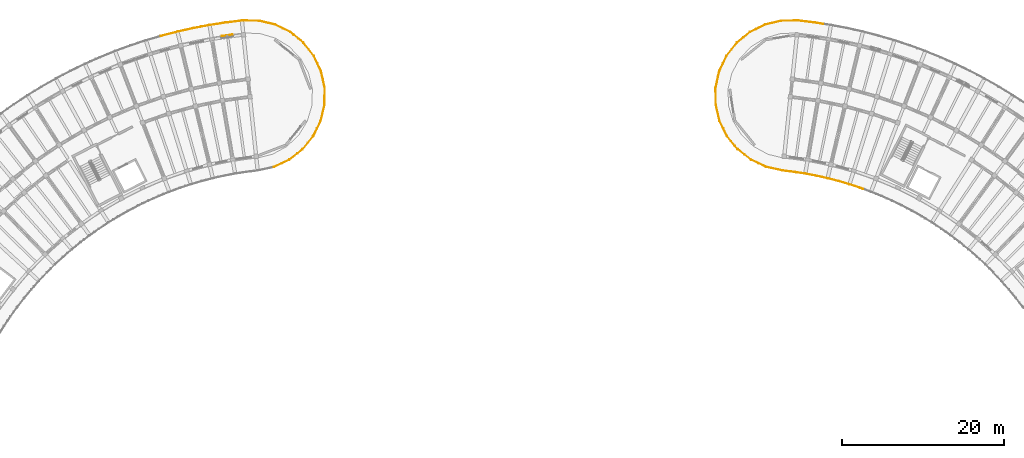
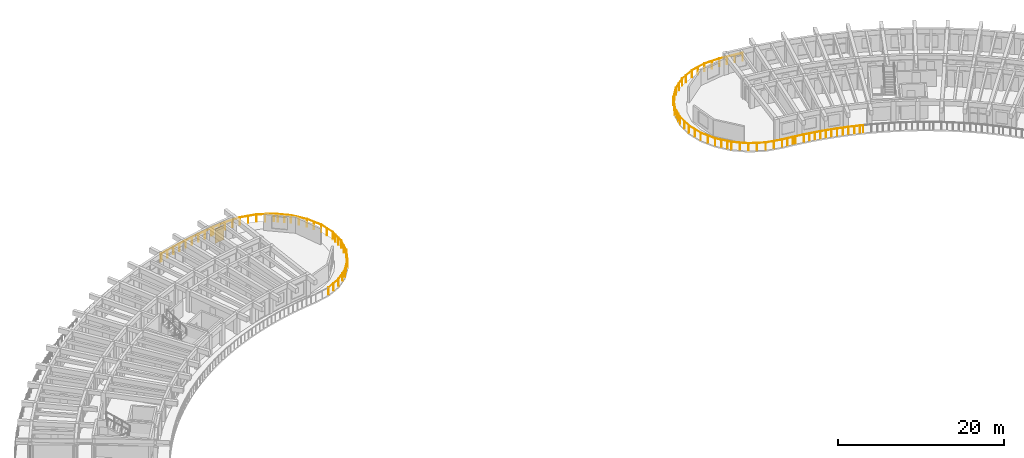
# One storey, part 70 of 78: 10 railings, 1 shading device.
"""IFC4 building model written with IfcOpenShell, lengths in metres."""

from ifc_helpers import new_model, si_unit, direction, frame, origin, origin_2d, place, context, subcontext, project, spatial, rectangle, circle, extrude, material, layer, layer_set, type_object, element, save


model = new_model("IFC4")

# Units and contexts
model_context = context("Model", 3, precision=1e-05, world=origin(), true_north=direction((0.0, 1.0)))
body_context = subcontext(model_context, "Body", "Model", "MODEL_VIEW")
ifc_project = project(units=[si_unit("LENGTHUNIT", "METRE"), si_unit("AREAUNIT", "SQUARE_METRE"), si_unit("VOLUMEUNIT", "CUBIC_METRE"), si_unit("PLANEANGLEUNIT", "RADIAN"), si_unit("MASSUNIT", "GRAM", prefix="KILO")], contexts=[model_context])

# Site, building, storey
site_placement = place(None, origin())
site = spatial("IfcSite", under=ifc_project, at=site_placement, CompositionType="ELEMENT")
building_placement = place(site_placement, origin())
building = spatial("IfcBuilding", under=site, at=building_placement, Name="Tanwirah Colonnade Gardens", CompositionType="ELEMENT")
storey_placement = place(building_placement, frame((0.0, 0.0, 22.280029296875)))
storey = spatial("IfcBuildingStorey", under=building, at=storey_placement, Name="L06", CompositionType="ELEMENT", Elevation=22.280029296875)

# Railings
ifc_material_1 = material(Name="Precast concrete C40/50", Category="concrete")
railing_type = type_object("IfcRailingType", Name="BAL-EXT112", PredefinedType="BALUSTRADE", material=ifc_material_1)
railing_1_placement = place(storey_placement, frame((48.5546875, 119.271728515625, 0.0)))
element("IfcRailing", 1, at=railing_1_placement, inside=storey, type_object=railing_type, Name="Block A L06 Balcony Ribbon Balustrade 18", PredefinedType="BALUSTRADE", context=body_context, shape_type="SweptSolid", body=[
    extrude(circle(Radius=0.02392578125, at=origin_2d()), frame((0.030029296875, 0.0087890625, 1.09619140625), z_axis=(0.959430074946, 0.281946681644, 0.0), x_axis=(-0.281946681644, 0.959430074946, 0.0)), (0.0, 0.0, 1.0), 0.057861328125),
    extrude(circle(Radius=0.02392578125, at=origin_2d()), frame((0.145751953125, 0.041748046875, 1.09619140625), z_axis=(0.968157509899, 0.250341838346, 0.0), x_axis=(-0.250341838346, 0.968157509899, 0.0)), (0.0, 0.0, 1.0), 1.959228515625),
    extrude(circle(Radius=0.02392578125, at=origin_2d()), frame((2.103271484375, 0.546875, 1.09619140625), z_axis=(0.975867729966, 0.218362482151, 0.0), x_axis=(-0.218362482151, 0.975867729966, 0.0)), (0.0, 0.0, 1.0), 1.958984375),
    extrude(circle(Radius=0.02392578125, at=origin_2d()), frame((4.076171875, 0.9873046875, 1.09619140625), z_axis=(0.982549371225, 0.186001970705, 0.0), x_axis=(-0.186001970705, 0.982549371225, 0.0)), (0.0, 0.0, 1.0), 1.958740234375),
    extrude(circle(Radius=0.02392578125, at=origin_2d()), frame((6.0625, 1.3623046875, 1.09619140625), z_axis=(0.988130323653, 0.153617913919, 0.0), x_axis=(-0.153617913919, 0.988130323653, 0.0)), (0.0, 0.0, 1.0), 1.958984375),
    extrude(circle(Radius=0.02392578125, at=origin_2d()), frame((8.06005859375, 1.671630859375, 1.09619140625), z_axis=(0.992706670136, 0.120554830125, 0.0), x_axis=(-0.120554830125, 0.992706670136, 0.0)), (0.0, 0.0, 1.0), 0.231201171875),
    extrude(circle(Radius=0.02099609375, at=origin_2d()), origin(), (0.0, 0.0, 1.0), 1.069091796875),
    extrude(circle(Radius=0.02099609375, at=origin_2d()), frame((0.115478515625, 0.033935546875, 0.0)), (0.0, 0.0, 1.0), 1.069091796875),
    extrude(circle(Radius=0.02099609375, at=origin_2d()), frame((1.09423828125, 0.287109375, 0.0)), (0.0, 0.0, 1.0), 1.069091796875),
    extrude(circle(Radius=0.02099609375, at=origin_2d()), frame((2.07275390625, 0.5400390625, 0.0)), (0.0, 0.0, 1.0), 1.069091796875),
    extrude(circle(Radius=0.02099609375, at=origin_2d()), frame((3.05908203125, 0.7607421875, 0.0)), (0.0, 0.0, 1.0), 1.069091796875),
    extrude(circle(Radius=0.02099609375, at=origin_2d()), frame((4.04541015625, 0.9814453125, 0.0)), (0.0, 0.0, 1.0), 1.069091796875),
    extrude(circle(Radius=0.02099609375, at=origin_2d()), frame((5.03857421875, 1.16943359375, 0.0)), (0.0, 0.0, 1.0), 1.069091796875),
    extrude(circle(Radius=0.02099609375, at=origin_2d()), frame((6.031494140625, 1.357421875, 0.0)), (0.0, 0.0, 1.0), 1.069091796875),
    extrude(circle(Radius=0.02099609375, at=origin_2d()), frame((7.0302734375, 1.5126953125, 0.0)), (0.0, 0.0, 1.0), 1.069091796875),
    extrude(circle(Radius=0.02099609375, at=origin_2d()), frame((8.029052734375, 1.66796875, 0.0)), (0.0, 0.0, 1.0), 1.069091796875),
    extrude(circle(Radius=0.02099609375, at=origin_2d()), frame((8.320556640625, 1.703369140625, 0.0)), (0.0, 0.0, 1.0), 1.069091796875),
])
railing_2_placement = place(storey_placement, frame((56.875244140625, 120.97509765625, 0.0)))
element("IfcRailing", 2, at=railing_2_placement, inside=storey, type_object=railing_type, Name="Block A L06 Balcony Ribbon Balustrade 19", PredefinedType="BALUSTRADE", context=body_context, shape_type="SweptSolid", body=[
    extrude(circle(Radius=0.02392578125, at=origin_2d()), frame((0.031005859375, 0.003662109375, 1.09619140625), z_axis=(0.992658739514, 0.120948860543, 0.0), x_axis=(-0.120948860543, 0.992658739514, 0.0)), (0.0, 0.0, 1.0), 1.661376953125),
    extrude(circle(Radius=0.02392578125, at=origin_2d()), frame((1.742431640625, 0.208251953125, 1.09619140625), z_axis=(0.999972077233, -0.00747293472, 0.0), x_axis=(0.00747293472, 0.999972077233, 0.0)), (0.0, 0.0, 1.0), 2.0283203125),
    extrude(circle(Radius=0.02392578125, at=origin_2d()), frame((3.83251953125, 0.185791015625, 1.09619140625), z_axis=(0.973245052386, -0.229769597654, 0.0), x_axis=(0.229769597654, 0.973245052386, 0.0)), (0.0, 0.0, 1.0), 2.0244140625),
    extrude(circle(Radius=0.02392578125, at=origin_2d()), frame((5.861083984375, -0.30029296875, 1.09619140625), z_axis=(0.89767854763, -0.440650910727, 0.0), x_axis=(0.440650910727, 0.89767854763, 0.0)), (0.0, 0.0, 1.0), 2.024658203125),
    extrude(circle(Radius=0.02392578125, at=origin_2d()), frame((7.73095703125, -1.22607421875, 1.09619140625), z_axis=(0.777222634712, -0.62922569567, 0.0), x_axis=(0.62922569567, 0.777222634712, 0.0)), (0.0, 0.0, 1.0), 0.448974609375),
    extrude(circle(Radius=0.02099609375, at=origin_2d()), origin(), (0.0, 0.0, 1.0), 1.069091796875),
    extrude(circle(Radius=0.02099609375, at=origin_2d()), frame((0.85546875, 0.104248046875, 0.0)), (0.0, 0.0, 1.0), 1.069091796875),
    extrude(circle(Radius=0.02099609375, at=origin_2d()), frame((1.711181640625, 0.20849609375, 0.0)), (0.0, 0.0, 1.0), 1.069091796875),
    extrude(circle(Radius=0.02099609375, at=origin_2d()), frame((2.756591796875, 0.20068359375, 0.0)), (0.0, 0.0, 1.0), 1.069091796875),
    extrude(circle(Radius=0.02099609375, at=origin_2d()), frame((3.802001953125, 0.19287109375, 0.0)), (0.0, 0.0, 1.0), 1.069091796875),
    extrude(circle(Radius=0.02099609375, at=origin_2d()), frame((4.8173828125, -0.046875, 0.0)), (0.0, 0.0, 1.0), 1.069091796875),
    extrude(circle(Radius=0.02099609375, at=origin_2d()), frame((5.8330078125, -0.28662109375, 0.0)), (0.0, 0.0, 1.0), 1.069091796875),
    extrude(circle(Radius=0.02099609375, at=origin_2d()), frame((6.769775390625, -0.74658203125, 0.0)), (0.0, 0.0, 1.0), 1.069091796875),
    extrude(circle(Radius=0.02099609375, at=origin_2d()), frame((7.70654296875, -1.206298828125, 0.0)), (0.0, 0.0, 1.0), 1.069091796875),
    extrude(circle(Radius=0.02099609375, at=origin_2d()), frame((8.10400390625, -1.528076171875, 0.0)), (0.0, 0.0, 1.0), 1.069091796875),
])
railing_3_placement = place(storey_placement, frame((64.979248046875, 119.447021484375, 0.0)))
element("IfcRailing", 3, at=railing_3_placement, inside=storey, type_object=railing_type, Name="Block A L06 Balcony Ribbon Balustrade 20", PredefinedType="BALUSTRADE", context=body_context, shape_type="SweptSolid", body=[
    extrude(circle(Radius=0.02392578125, at=origin_2d()), frame((0.0244140625, -0.019775390625, 1.09619140625), z_axis=(0.777151033754, -0.629314127233, 0.0), x_axis=(0.629314127233, 0.777151033754, 0.0)), (0.0, 0.0, 1.0), 1.512939453125),
    extrude(circle(Radius=0.02392578125, at=origin_2d()), frame((1.24365234375, -1.01611328125, 1.09619140625), z_axis=(0.617578689713, -0.786509098493, 0.0), x_axis=(0.786509098493, 0.617578689713, 0.0)), (0.0, 0.0, 1.0), 2.0244140625),
    extrude(circle(Radius=0.02392578125, at=origin_2d()), frame((2.526611328125, -2.6611328125, 1.09619140625), z_axis=(0.427120558346, -0.904194685142, 0.0), x_axis=(0.904194685142, 0.427120558346, 0.0)), (0.0, 0.0, 1.0), 2.0244140625),
    extrude(circle(Radius=0.02392578125, at=origin_2d()), frame((3.411376953125, -4.55029296875, 1.09619140625), z_axis=(0.215270196259, -0.97655452618, 0.0), x_axis=(0.97655452618, 0.215270196259, 0.0)), (0.0, 0.0, 1.0), 2.024169921875),
    extrude(circle(Radius=0.02392578125, at=origin_2d()), frame((3.853515625, -6.5888671875, 1.09619140625), z_axis=(-0.007720358143, -0.999970197591, 0.0), x_axis=(0.999970197591, -0.007720358143, 0.0)), (0.0, 0.0, 1.0), 0.6015625),
    extrude(circle(Radius=0.02099609375, at=origin_2d()), origin(), (0.0, 0.0, 1.0), 1.069091796875),
    extrude(circle(Radius=0.02099609375, at=origin_2d()), frame((0.6123046875, -0.49560546875, 0.0)), (0.0, 0.0, 1.0), 1.069091796875),
    extrude(circle(Radius=0.02099609375, at=origin_2d()), frame((1.224365234375, -0.991455078125, 0.0)), (0.0, 0.0, 1.0), 1.069091796875),
    extrude(circle(Radius=0.02099609375, at=origin_2d()), frame((1.86865234375, -1.81201171875, 0.0)), (0.0, 0.0, 1.0), 1.069091796875),
    extrude(circle(Radius=0.02099609375, at=origin_2d()), frame((2.51318359375, -2.6328125, 0.0)), (0.0, 0.0, 1.0), 1.069091796875),
    extrude(circle(Radius=0.02099609375, at=origin_2d()), frame((2.958984375, -3.576171875, 0.0)), (0.0, 0.0, 1.0), 1.069091796875),
    extrude(circle(Radius=0.02099609375, at=origin_2d()), frame((3.404541015625, -4.519775390625, 0.0)), (0.0, 0.0, 1.0), 1.069091796875),
    extrude(circle(Radius=0.02099609375, at=origin_2d()), frame((3.629150390625, -5.53857421875, 0.0)), (0.0, 0.0, 1.0), 1.069091796875),
    extrude(circle(Radius=0.02099609375, at=origin_2d()), frame((3.853759765625, -6.5576171875, 0.0)), (0.0, 0.0, 1.0), 1.069091796875),
    extrude(circle(Radius=0.02099609375, at=origin_2d()), frame((3.8486328125, -7.2216796875, 0.0)), (0.0, 0.0, 1.0), 1.069091796875),
])
railing_4_placement = place(storey_placement, frame((68.827880859375, 112.225341796875, 0.0)))
element("IfcRailing", 4, at=railing_4_placement, inside=storey, type_object=railing_type, Name="Block A L06 Balcony Ribbon Balustrade 21", PredefinedType="BALUSTRADE", context=body_context, shape_type="SweptSolid", body=[
    extrude(circle(Radius=0.02392578125, at=origin_2d()), frame((-0.000244140625, -0.03125, 1.09619140625), z_axis=(-0.007377973514, -0.999972782383, 0.0), x_axis=(0.999972782383, -0.007377973514, 0.0)), (0.0, 0.0, 1.0), 1.3603515625),
    extrude(circle(Radius=0.02392578125, at=origin_2d()), frame((-0.017578125, -1.453369140625, 1.09619140625), z_axis=(-0.229769597654, -0.973245052386, 0.0), x_axis=(0.973245052386, -0.229769597654, 0.0)), (0.0, 0.0, 1.0), 2.0244140625),
    extrude(circle(Radius=0.02392578125, at=origin_2d()), frame((-0.503662109375, -3.48193359375, 1.09619140625), z_axis=(-0.440650910727, -0.89767854763, 0.0), x_axis=(0.89767854763, -0.440650910727, 0.0)), (0.0, 0.0, 1.0), 2.024658203125),
    extrude(circle(Radius=0.02392578125, at=origin_2d()), frame((-1.429443359375, -5.351806640625, 1.09619140625), z_axis=(-0.629292457571, -0.777168580711, 0.0), x_axis=(0.777168580711, -0.629292457571, 0.0)), (0.0, 0.0, 1.0), 2.0244140625),
    extrude(circle(Radius=0.02392578125, at=origin_2d()), frame((-2.74755859375, -6.968505859375, 1.09619140625), z_axis=(-0.786525843464, -0.617557363784, 0.0), x_axis=(0.617557363784, -0.786525843464, 0.0)), (0.0, 0.0, 1.0), 0.75390625),
    extrude(circle(Radius=0.02099609375, at=origin_2d()), origin(), (0.0, 0.0, 1.0), 1.069091796875),
    extrude(circle(Radius=0.02099609375, at=origin_2d()), frame((-0.00537109375, -0.71142578125, 0.0)), (0.0, 0.0, 1.0), 1.069091796875),
    extrude(circle(Radius=0.02099609375, at=origin_2d()), frame((-0.010498046875, -1.4228515625, 0.0)), (0.0, 0.0, 1.0), 1.069091796875),
    extrude(circle(Radius=0.02099609375, at=origin_2d()), frame((-0.250244140625, -2.4384765625, 0.0)), (0.0, 0.0, 1.0), 1.069091796875),
    extrude(circle(Radius=0.02099609375, at=origin_2d()), frame((-0.489990234375, -3.453857421875, 0.0)), (0.0, 0.0, 1.0), 1.069091796875),
    extrude(circle(Radius=0.02099609375, at=origin_2d()), frame((-0.94970703125, -4.390625, 0.0)), (0.0, 0.0, 1.0), 1.069091796875),
    extrude(circle(Radius=0.02099609375, at=origin_2d()), frame((-1.40966796875, -5.327392578125, 0.0)), (0.0, 0.0, 1.0), 1.069091796875),
    extrude(circle(Radius=0.02099609375, at=origin_2d()), frame((-2.06640625, -6.13818359375, 0.0)), (0.0, 0.0, 1.0), 1.069091796875),
    extrude(circle(Radius=0.02099609375, at=origin_2d()), frame((-2.722900390625, -6.94921875, 0.0)), (0.0, 0.0, 1.0), 1.069091796875),
    extrude(circle(Radius=0.02099609375, at=origin_2d()), frame((-3.364990234375, -7.453369140625, 0.0)), (0.0, 0.0, 1.0), 1.069091796875),
])
railing_5_placement = place(storey_placement, frame((65.462890625, 104.77197265625, 0.0)))
element("IfcRailing", 5, at=railing_5_placement, inside=storey, type_object=railing_type, Name="Block A L06 Balcony Ribbon Balustrade 22", PredefinedType="BALUSTRADE", context=body_context, shape_type="SweptSolid", body=[
    extrude(circle(Radius=0.02392578125, at=origin_2d()), frame((-0.024658203125, -0.019287109375, 1.09619140625), z_axis=(-0.786498338908, -0.617592392194, 0.0), x_axis=(0.617592392194, -0.786498338908, 0.0)), (0.0, 0.0, 1.0), 1.2080078125),
    extrude(circle(Radius=0.02392578125, at=origin_2d()), frame((-1.027587890625, -0.798095703125, 1.09619140625), z_axis=(-0.904194685142, -0.427120558346, 0.0), x_axis=(0.427120558346, -0.904194685142, 0.0)), (0.0, 0.0, 1.0), 2.0244140625),
    extrude(circle(Radius=0.02099609375, at=origin_2d()), origin(), (0.0, 0.0, 1.0), 1.069091796875),
    extrude(circle(Radius=0.02099609375, at=origin_2d()), frame((-0.999267578125, -0.78466796875, 0.0)), (0.0, 0.0, 1.0), 1.069091796875),
    extrude(circle(Radius=0.02099609375, at=origin_2d()), frame((-1.94287109375, -1.23046875, 0.0)), (0.0, 0.0, 1.0), 1.069091796875),
    extrude(circle(Radius=0.02099609375, at=origin_2d()), frame((-2.88623046875, -1.676025390625, 0.0)), (0.0, 0.0, 1.0), 1.069091796875),
])
railing_6_placement = place(storey_placement, frame((135.417236328125, 100.3662109375, 0.0)))
element("IfcRailing", 6, at=railing_6_placement, inside=storey, type_object=railing_type, Name="Block B L06 Balcony Ribbon Balustrade 6", PredefinedType="BALUSTRADE", context=body_context, shape_type="SweptSolid", body=[
    extrude(circle(Radius=0.02392578125, at=origin_2d()), frame((-0.029296875, 0.0107421875, 1.09619140625), z_axis=(-0.938686381743, 0.344772209916, 0.0), x_axis=(-0.344772209916, -0.938686381743, 0.0)), (0.0, 0.0, 1.0), 0.325439453125),
    extrude(circle(Radius=0.02392578125, at=origin_2d()), frame((-0.396728515625, 0.14453125, 1.09619140625), z_axis=(-0.949531842797, 0.313670654533, 0.0), x_axis=(-0.313670654533, -0.949531842797, 0.0)), (0.0, 0.0, 1.0), 1.341552734375),
    extrude(circle(Radius=0.02392578125, at=origin_2d()), frame((-1.73291015625, 0.584716796875, 1.09619140625), z_axis=(-0.959362733044, 0.282175736812, 0.0), x_axis=(-0.282175736812, -0.959362733044, 0.0)), (0.0, 0.0, 1.0), 1.341796875),
    extrude(circle(Radius=0.02392578125, at=origin_2d()), frame((-3.0830078125, 0.980712890625, 1.09619140625), z_axis=(-0.968157809477, 0.250340679771, 0.0), x_axis=(-0.250340679771, -0.968157809477, 0.0)), (0.0, 0.0, 1.0), 1.341796875),
    extrude(circle(Radius=0.02392578125, at=origin_2d()), frame((-4.4453125, 1.33203125, 1.09619140625), z_axis=(-0.975875211082, 0.218329046156, 0.0), x_axis=(-0.218329046156, -0.975875211082, 0.0)), (0.0, 0.0, 1.0), 1.342041015625),
    extrude(circle(Radius=0.02392578125, at=origin_2d()), frame((-5.818603515625, 1.63818359375, 1.09619140625), z_axis=(-0.982547926195, 0.186009603862, 0.0), x_axis=(-0.186009603862, -0.982547926195, 0.0)), (0.0, 0.0, 1.0), 1.341796875),
    extrude(circle(Radius=0.02392578125, at=origin_2d()), frame((-7.201416015625, 1.89892578125, 1.09619140625), z_axis=(-0.988128738312, 0.153628111108, 0.0), x_axis=(-0.153628111108, -0.988128738312, 0.0)), (0.0, 0.0, 1.0), 1.01171875),
    extrude(circle(Radius=0.02099609375, at=origin_2d()), origin(), (0.0, 0.0, 1.0), 1.069091796875),
    extrude(circle(Radius=0.02099609375, at=origin_2d()), frame((-0.3642578125, 0.1337890625, 0.0)), (0.0, 0.0, 1.0), 1.069091796875),
    extrude(circle(Radius=0.02099609375, at=origin_2d()), frame((-1.03369140625, 0.35498046875, 0.0)), (0.0, 0.0, 1.0), 1.069091796875),
    extrude(circle(Radius=0.02099609375, at=origin_2d()), frame((-1.7001953125, 0.5751953125, 0.0)), (0.0, 0.0, 1.0), 1.069091796875),
    extrude(circle(Radius=0.02099609375, at=origin_2d()), frame((-2.37646484375, 0.77392578125, 0.0)), (0.0, 0.0, 1.0), 1.069091796875),
    extrude(circle(Radius=0.02099609375, at=origin_2d()), frame((-3.050048828125, 0.97216796875, 0.0)), (0.0, 0.0, 1.0), 1.069091796875),
    extrude(circle(Radius=0.02099609375, at=origin_2d()), frame((-3.732421875, 1.148681640625, 0.0)), (0.0, 0.0, 1.0), 1.069091796875),
    extrude(circle(Radius=0.02099609375, at=origin_2d()), frame((-4.412353515625, 1.324462890625, 0.0)), (0.0, 0.0, 1.0), 1.069091796875),
    extrude(circle(Radius=0.02099609375, at=origin_2d()), frame((-5.10009765625, 1.478515625, 0.0)), (0.0, 0.0, 1.0), 1.069091796875),
    extrude(circle(Radius=0.02099609375, at=origin_2d()), frame((-5.785400390625, 1.6318359375, 0.0)), (0.0, 0.0, 1.0), 1.069091796875),
    extrude(circle(Radius=0.02099609375, at=origin_2d()), frame((-6.477783203125, 1.762939453125, 0.0)), (0.0, 0.0, 1.0), 1.069091796875),
    extrude(circle(Radius=0.02099609375, at=origin_2d()), frame((-7.167724609375, 1.8935546875, 0.0)), (0.0, 0.0, 1.0), 1.069091796875),
    extrude(circle(Radius=0.02099609375, at=origin_2d()), frame((-8.23193359375, 2.05908203125, 0.0)), (0.0, 0.0, 1.0), 1.069091796875),
])
railing_7_placement = place(storey_placement, frame((127.185302734375, 102.42529296875, 0.0)))
element("IfcRailing", 7, at=railing_7_placement, inside=storey, type_object=railing_type, Name="Block B L06 Balcony Ribbon Balustrade 7", PredefinedType="BALUSTRADE", context=body_context, shape_type="SweptSolid", body=[
    extrude(circle(Radius=0.02392578125, at=origin_2d()), frame((-0.031005859375, 0.0048828125, 1.09619140625), z_axis=(-0.988208661011, 0.153113168285, 0.0), x_axis=(-0.153113168285, -0.988208661011, 0.0)), (0.0, 0.0, 1.0), 0.267578125),
    extrude(circle(Radius=0.02392578125, at=origin_2d()), frame((-0.359619140625, 0.0546875, 1.09619140625), z_axis=(-0.99267751715, 0.120794647829, 0.0), x_axis=(-0.120794647829, -0.99267751715, 0.0)), (0.0, 0.0, 1.0), 1.338134765625),
    extrude(circle(Radius=0.02392578125, at=origin_2d()), frame((-1.74951171875, 0.22705078125, 1.09619140625), z_axis=(-0.976545428659, 0.215311462222, 0.0), x_axis=(-0.215311462222, -0.976545428659, 0.0)), (0.0, 0.0, 1.0), 2.029541015625),
    extrude(circle(Radius=0.02392578125, at=origin_2d()), frame((-3.790283203125, 0.68408203125, 1.09619140625), z_axis=(-0.904194685142, 0.427120558346, 0.0), x_axis=(-0.427120558346, -0.904194685142, 0.0)), (0.0, 0.0, 1.0), 2.0244140625),
    extrude(circle(Radius=0.02392578125, at=origin_2d()), frame((-5.673583984375, 1.581298828125, 1.09619140625), z_axis=(-0.786509098493, 0.617578689713, 0.0), x_axis=(-0.617578689713, -0.786509098493, 0.0)), (0.0, 0.0, 1.0), 2.0244140625),
    extrude(circle(Radius=0.02392578125, at=origin_2d()), frame((-7.31005859375, 2.875244140625, 1.09619140625), z_axis=(-0.62914215078, 0.777290263744, 0.0), x_axis=(-0.777290263744, -0.62914215078, 0.0)), (0.0, 0.0, 1.0), 0.4384765625),
    extrude(circle(Radius=0.02099609375, at=origin_2d()), origin(), (0.0, 0.0, 1.0), 1.069091796875),
    extrude(circle(Radius=0.02099609375, at=origin_2d()), frame((-0.326171875, 0.050537109375, 0.0)), (0.0, 0.0, 1.0), 1.069091796875),
    extrude(circle(Radius=0.02099609375, at=origin_2d()), frame((-1.02392578125, 0.1357421875, 0.0)), (0.0, 0.0, 1.0), 1.069091796875),
    extrude(circle(Radius=0.02099609375, at=origin_2d()), frame((-1.718994140625, 0.22021484375, 0.0)), (0.0, 0.0, 1.0), 1.069091796875),
    extrude(circle(Radius=0.02099609375, at=origin_2d()), frame((-2.740478515625, 0.4453125, 0.0)), (0.0, 0.0, 1.0), 1.069091796875),
    extrude(circle(Radius=0.02099609375, at=origin_2d()), frame((-3.761962890625, 0.670654296875, 0.0)), (0.0, 0.0, 1.0), 1.069091796875),
    extrude(circle(Radius=0.02099609375, at=origin_2d()), frame((-4.70556640625, 1.1162109375, 0.0)), (0.0, 0.0, 1.0), 1.069091796875),
    extrude(circle(Radius=0.02099609375, at=origin_2d()), frame((-5.64892578125, 1.56201171875, 0.0)), (0.0, 0.0, 1.0), 1.069091796875),
    extrude(circle(Radius=0.02099609375, at=origin_2d()), frame((-6.4697265625, 2.20654296875, 0.0)), (0.0, 0.0, 1.0), 1.069091796875),
    extrude(circle(Radius=0.02099609375, at=origin_2d()), frame((-7.290283203125, 2.850830078125, 0.0)), (0.0, 0.0, 1.0), 1.069091796875),
    extrude(circle(Radius=0.02099609375, at=origin_2d()), frame((-7.60546875, 3.240234375, 0.0)), (0.0, 0.0, 1.0), 1.069091796875),
])
railing_8_placement = place(storey_placement, frame((119.579833984375, 105.66552734375, 0.0)))
element("IfcRailing", 8, at=railing_8_placement, inside=storey, type_object=railing_type, Name="Block B L06 Balcony Ribbon Balustrade 8", PredefinedType="BALUSTRADE", context=body_context, shape_type="SweptSolid", body=[
    extrude(circle(Radius=0.02392578125, at=origin_2d()), frame((-0.019775390625, 0.0244140625, 1.09619140625), z_axis=(-0.629339934839, 0.777130134801, 0.0), x_axis=(-0.777130134801, -0.629339934839, 0.0)), (0.0, 0.0, 1.0), 1.5234375),
    extrude(circle(Radius=0.02392578125, at=origin_2d()), frame((-1.01171875, 1.260498046875, 1.09619140625), z_axis=(-0.440650910727, 0.89767854763, 0.0), x_axis=(-0.89767854763, -0.440650910727, 0.0)), (0.0, 0.0, 1.0), 2.024658203125),
    extrude(circle(Radius=0.02392578125, at=origin_2d()), frame((-1.9248046875, 3.136474609375, 1.09619140625), z_axis=(-0.229769597654, 0.973245052386, 0.0), x_axis=(-0.973245052386, -0.229769597654, 0.0)), (0.0, 0.0, 1.0), 2.0244140625),
    extrude(circle(Radius=0.02392578125, at=origin_2d()), frame((-2.3974609375, 5.168212890625, 1.09619140625), z_axis=(-0.007486921648, 0.999971972609, 0.0), x_axis=(-0.999971972609, -0.007486921648, 0.0)), (0.0, 0.0, 1.0), 2.0244140625),
    extrude(circle(Radius=0.02392578125, at=origin_2d()), frame((-2.406005859375, 7.25439453125, 1.09619140625), z_axis=(0.215268146696, 0.97655497798, 0.0), x_axis=(-0.97655497798, 0.215268146696, 0.0)), (0.0, 0.0, 1.0), 0.5908203125),
    extrude(circle(Radius=0.02099609375, at=origin_2d()), origin(), (0.0, 0.0, 1.0), 1.069091796875),
    extrude(circle(Radius=0.02099609375, at=origin_2d()), frame((-0.4990234375, 0.6162109375, 0.0)), (0.0, 0.0, 1.0), 1.069091796875),
    extrude(circle(Radius=0.02099609375, at=origin_2d()), frame((-0.998046875, 1.232421875, 0.0)), (0.0, 0.0, 1.0), 1.069091796875),
    extrude(circle(Radius=0.02099609375, at=origin_2d()), frame((-1.4580078125, 2.169189453125, 0.0)), (0.0, 0.0, 1.0), 1.069091796875),
    extrude(circle(Radius=0.02099609375, at=origin_2d()), frame((-1.917724609375, 3.10595703125, 0.0)), (0.0, 0.0, 1.0), 1.069091796875),
    extrude(circle(Radius=0.02099609375, at=origin_2d()), frame((-2.157470703125, 4.12158203125, 0.0)), (0.0, 0.0, 1.0), 1.069091796875),
    extrude(circle(Radius=0.02099609375, at=origin_2d()), frame((-2.397216796875, 5.136962890625, 0.0)), (0.0, 0.0, 1.0), 1.069091796875),
    extrude(circle(Radius=0.02099609375, at=origin_2d()), frame((-2.405029296875, 6.180419921875, 0.0)), (0.0, 0.0, 1.0), 1.069091796875),
    extrude(circle(Radius=0.02099609375, at=origin_2d()), frame((-2.412841796875, 7.223876953125, 0.0)), (0.0, 0.0, 1.0), 1.069091796875),
    extrude(circle(Radius=0.02099609375, at=origin_2d()), frame((-2.272216796875, 7.86181640625, 0.0)), (0.0, 0.0, 1.0), 1.069091796875),
])
railing_9_placement = place(storey_placement, frame((117.3076171875, 113.52734375, 0.0)))
element("IfcRailing", 9, at=railing_9_placement, inside=storey, type_object=railing_type, Name="Block B L06 Balcony Ribbon Balustrade 9", PredefinedType="BALUSTRADE", context=body_context, shape_type="SweptSolid", body=[
    extrude(circle(Radius=0.02392578125, at=origin_2d()), frame((0.0068359375, 0.030517578125, 1.09619140625), z_axis=(0.215271130249, 0.976554320292, 0.0), x_axis=(-0.976554320292, 0.215271130249, 0.0)), (0.0, 0.0, 1.0), 1.37109375),
    extrude(circle(Radius=0.02392578125, at=origin_2d()), frame((0.322021484375, 1.42822265625, 1.09619140625), z_axis=(0.427120558346, 0.904194685142, 0.0), x_axis=(-0.904194685142, 0.427120558346, 0.0)), (0.0, 0.0, 1.0), 2.0244140625),
    extrude(circle(Radius=0.02392578125, at=origin_2d()), frame((1.21923828125, 3.3115234375, 1.09619140625), z_axis=(0.617578689713, 0.786509098493, 0.0), x_axis=(-0.786509098493, 0.617578689713, 0.0)), (0.0, 0.0, 1.0), 2.0244140625),
    extrude(circle(Radius=0.02392578125, at=origin_2d()), frame((2.51318359375, 4.947998046875, 1.09619140625), z_axis=(0.777168580711, 0.629292457571, 0.0), x_axis=(-0.629292457571, 0.777168580711, 0.0)), (0.0, 0.0, 1.0), 2.0244140625),
    extrude(circle(Radius=0.02392578125, at=origin_2d()), frame((4.138671875, 6.255126953125, 1.09619140625), z_axis=(0.897735153501, 0.440535576507, 0.0), x_axis=(-0.440535576507, 0.897735153501, 0.0)), (0.0, 0.0, 1.0), 0.7431640625),
    extrude(circle(Radius=0.02099609375, at=origin_2d()), origin(), (0.0, 0.0, 1.0), 1.069091796875),
    extrude(circle(Radius=0.02099609375, at=origin_2d()), frame((0.154296875, 0.699951171875, 0.0)), (0.0, 0.0, 1.0), 1.069091796875),
    extrude(circle(Radius=0.02099609375, at=origin_2d()), frame((0.30859375, 1.39990234375, 0.0)), (0.0, 0.0, 1.0), 1.069091796875),
    extrude(circle(Radius=0.02099609375, at=origin_2d()), frame((0.75439453125, 2.34326171875, 0.0)), (0.0, 0.0, 1.0), 1.069091796875),
    extrude(circle(Radius=0.02099609375, at=origin_2d()), frame((1.199951171875, 3.286865234375, 0.0)), (0.0, 0.0, 1.0), 1.069091796875),
    extrude(circle(Radius=0.02099609375, at=origin_2d()), frame((1.84423828125, 4.107421875, 0.0)), (0.0, 0.0, 1.0), 1.069091796875),
    extrude(circle(Radius=0.02099609375, at=origin_2d()), frame((2.48876953125, 4.92822265625, 0.0)), (0.0, 0.0, 1.0), 1.069091796875),
    extrude(circle(Radius=0.02099609375, at=origin_2d()), frame((3.2998046875, 5.5849609375, 0.0)), (0.0, 0.0, 1.0), 1.069091796875),
    extrude(circle(Radius=0.02099609375, at=origin_2d()), frame((4.110595703125, 6.241455078125, 0.0)), (0.0, 0.0, 1.0), 1.069091796875),
    extrude(circle(Radius=0.02099609375, at=origin_2d()), frame((4.833984375, 6.596435546875, 0.0)), (0.0, 0.0, 1.0), 1.069091796875),
])
railing_10_placement = place(storey_placement, frame((122.1416015625, 120.123779296875, 0.0)))
element("IfcRailing", 10, at=railing_10_placement, inside=storey, type_object=railing_type, Name="Block B L06 Balcony Ribbon Balustrade 10", PredefinedType="BALUSTRADE", context=body_context, shape_type="SweptSolid", body=[
    extrude(circle(Radius=0.02392578125, at=origin_2d()), frame((0.028076171875, 0.013671875, 1.09619140625), z_axis=(0.897642941236, 0.440723439414, 0.0), x_axis=(-0.440723439414, 0.897642941236, 0.0)), (0.0, 0.0, 1.0), 1.21875),
    extrude(circle(Radius=0.02392578125, at=origin_2d()), frame((1.1806640625, 0.57177734375, 1.09619140625), z_axis=(0.973245052386, 0.229769597654, 0.0), x_axis=(-0.229769597654, 0.973245052386, 0.0)), (0.0, 0.0, 1.0), 2.0244140625),
    extrude(circle(Radius=0.02392578125, at=origin_2d()), frame((3.21240234375, 1.04443359375, 1.09619140625), z_axis=(0.999972077233, 0.00747293472, 0.0), x_axis=(-0.00747293472, 0.999972077233, 0.0)), (0.0, 0.0, 1.0), 2.0283203125),
    extrude(circle(Radius=0.02392578125, at=origin_2d()), frame((5.302978515625, 1.05615234375, 1.09619140625), z_axis=(0.992665725565, -0.120891510403, 0.0), x_axis=(0.120891510403, 0.992665725565, 0.0)), (0.0, 0.0, 1.0), 1.955078125),
    extrude(circle(Radius=0.02392578125, at=origin_2d()), frame((7.3056640625, 0.81103515625, 1.09619140625), z_axis=(0.988133367747, -0.153598331844, 0.0), x_axis=(0.153598331844, 0.988133367747, 0.0)), (0.0, 0.0, 1.0), 0.961181640625),
    extrude(circle(Radius=0.02099609375, at=origin_2d()), origin(), (0.0, 0.0, 1.0), 1.069091796875),
    extrude(circle(Radius=0.02099609375, at=origin_2d()), frame((1.150146484375, 0.564697265625, 0.0)), (0.0, 0.0, 1.0), 1.069091796875),
    extrude(circle(Radius=0.02099609375, at=origin_2d()), frame((2.16552734375, 0.804443359375, 0.0)), (0.0, 0.0, 1.0), 1.069091796875),
    extrude(circle(Radius=0.02099609375, at=origin_2d()), frame((3.18115234375, 1.044189453125, 0.0)), (0.0, 0.0, 1.0), 1.069091796875),
    extrude(circle(Radius=0.02099609375, at=origin_2d()), frame((4.2265625, 1.052001953125, 0.0)), (0.0, 0.0, 1.0), 1.069091796875),
    extrude(circle(Radius=0.02099609375, at=origin_2d()), frame((5.27197265625, 1.059814453125, 0.0)), (0.0, 0.0, 1.0), 1.069091796875),
    extrude(circle(Radius=0.02099609375, at=origin_2d()), frame((6.2734375, 0.93798828125, 0.0)), (0.0, 0.0, 1.0), 1.069091796875),
    extrude(circle(Radius=0.02099609375, at=origin_2d()), frame((7.274658203125, 0.81591796875, 0.0)), (0.0, 0.0, 1.0), 1.069091796875),
    extrude(circle(Radius=0.02099609375, at=origin_2d()), frame((8.2861328125, 0.65869140625, 0.0)), (0.0, 0.0, 1.0), 1.069091796875),
])

# Shading device
ifc_material_2 = material(Name="Perforated architectural bronze aluminium", Category="aluminium")
ifc_layer = layer(ifc_material_2, 0.044921875)
ifc_layer_set = layer_set([ifc_layer], Name="Perforated architectural bronze aluminium")
shading_device_type = type_object("IfcShadingDeviceType", Name="SHD-MSH1", PredefinedType="JALOUSIE", material=ifc_layer_set)
shading_device_placement = place(storey_placement, frame((56.759033203125, 119.364013671875, 0.0), z_axis=(0.0, 0.0, 1.0), x_axis=(-0.990536278911, -0.137251157233, 0.0)))
element("IfcShadingDevice", 11, at=shading_device_placement, inside=storey, type_object=shading_device_type, Name="Bronze mashrabiya solar screen A-L06-00", PredefinedType="JALOUSIE", context=body_context, shape_type="SweptSolid", body=[
    extrude(rectangle(XDim=1.35009765625, YDim=0.044921875, at=origin_2d()), origin(), (0.0, 0.0, 1.0), 2.14990234375),
])

save(model, "model.ifc")
